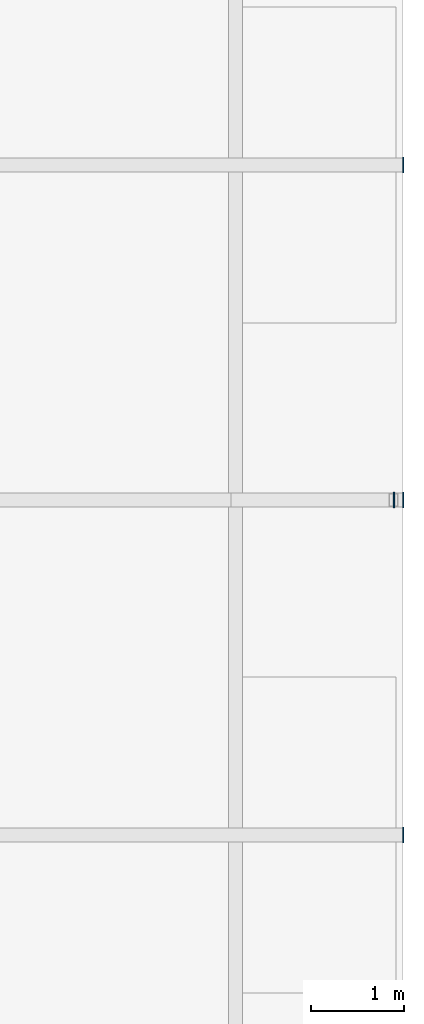
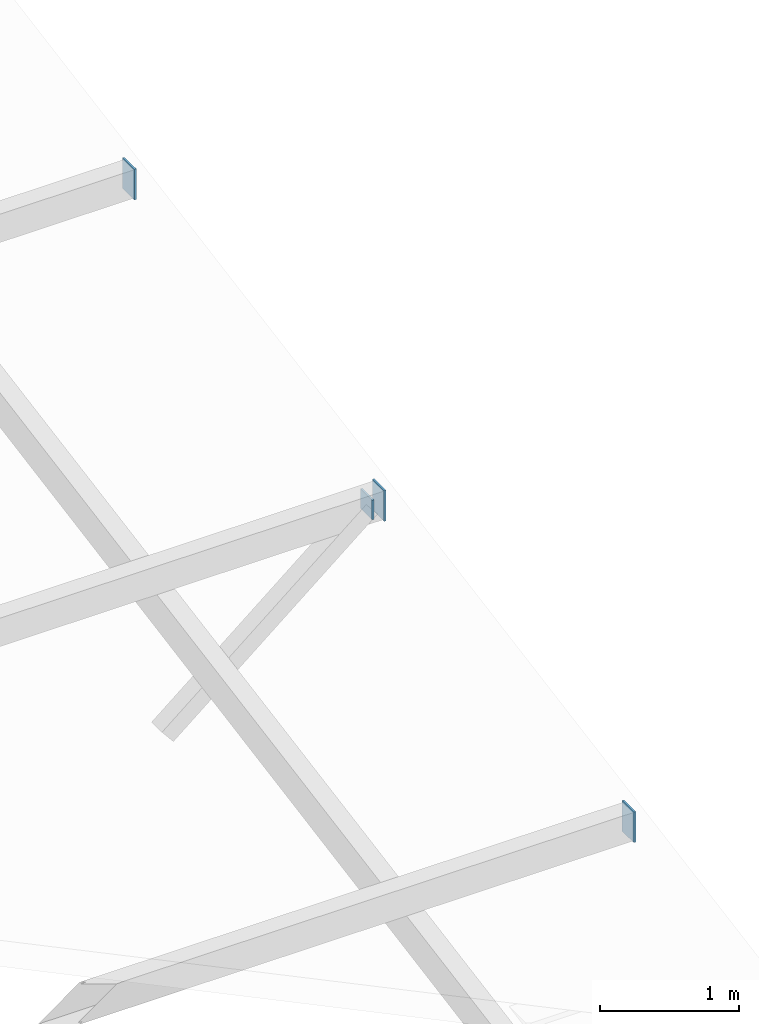
# One storey, part 61 of 63: 4 plates.
"""IFC4 building model written with IfcOpenShell, lengths in metres."""

from ifc_helpers import new_model, si_unit, direction, frame, origin, origin_2d, place, context, subcontext, project, spatial, rectangle, extrude, material, layer, layer_set, type_object, element, save


model = new_model("IFC4")

# Units and contexts
model_context = context("Model", 3, precision=1e-05, world=origin(), true_north=direction((0.0, 1.0)))
body_context = subcontext(model_context, "Body", "Model", "MODEL_VIEW")
ifc_project = project(units=[si_unit("LENGTHUNIT", "METRE"), si_unit("AREAUNIT", "SQUARE_METRE"), si_unit("VOLUMEUNIT", "CUBIC_METRE"), si_unit("PLANEANGLEUNIT", "RADIAN"), si_unit("MASSUNIT", "GRAM", prefix="KILO")], contexts=[model_context])

# Site, building, storey
site_placement = place(None, origin())
site = spatial("IfcSite", under=ifc_project, at=site_placement, CompositionType="ELEMENT")
building_placement = place(site_placement, origin())
building = spatial("IfcBuilding", under=site, at=building_placement, Name="Solvadek Multi-Sports Hall", CompositionType="ELEMENT")
storey_placement = place(building_placement, frame((0.0, 0.0, 19.199951171875)))
storey = spatial("IfcBuildingStorey", under=building, at=storey_placement, Name="RF", CompositionType="ELEMENT", Elevation=19.199951171875)

# Plates
ifc_material = material(Name="Steel E350 (350 MPa)", Category="steel")
ifc_layer = layer(ifc_material, 0.01611328125, Name="Steel E350 (350 MPa)")
ifc_layer_set = layer_set([ifc_layer], Name="Steel E350 (350 MPa)")
plate_type = type_object("IfcPlateType", Name="STR-PLT-CAP16", PredefinedType="USERDEFINED", material=ifc_layer_set)
plate_placement = place(storey_placement, frame((163.10400390625, 63.60009765625, 0.32373046875), z_axis=(0.0, 0.0, 1.0), x_axis=(1.0, 0.0, 0.0)))
element("IfcPlate", 1, at=plate_placement, inside=storey, type_object=plate_type, Name="V2 Eave Strut End Cap Plate #111", ObjectType="BASE_PLATE", PredefinedType="USERDEFINED", context=body_context, shape_type="SweptSolid", body=[
    extrude(rectangle(XDim=0.01611328125, YDim=0.169921875, at=origin_2d()), origin(), (0.0, 0.0, 1.0), 0.169921875),
])
for number, where, z_axis, x_axis, name in (
    (2, (163.2041015625, 60.0, -0.37060546875), (0.0, 0.0, 1.0), (1.0, 0.0, 0.0), "V2 Purlin End Cap Plate #112"),
    (3, (163.2041015625, 63.60009765625, 0.273681640625), (0.0, 0.0, 1.0), (1.0, 0.0, 0.0), "V2 Purlin End Cap Plate #113"),
    (4, (163.2041015625, 67.199951171875, 0.918212890625), (0.0, 0.0, 1.0), (1.0, 0.0, 0.0), "V2 Purlin End Cap Plate #114"),
):
    element("IfcPlate", number, at=place(storey_placement, frame(where, z_axis=z_axis, x_axis=x_axis)), inside=storey, type_object=plate_type, Name=name, ObjectType="BASE_PLATE", PredefinedType="USERDEFINED", context=body_context, shape_type="SweptSolid", body=[
        extrude(rectangle(XDim=0.01611328125, YDim=0.169921875, at=origin_2d()), origin(), (0.0, 0.0, 1.0), 0.27001953125),
    ])

save(model, "model.ifc")
